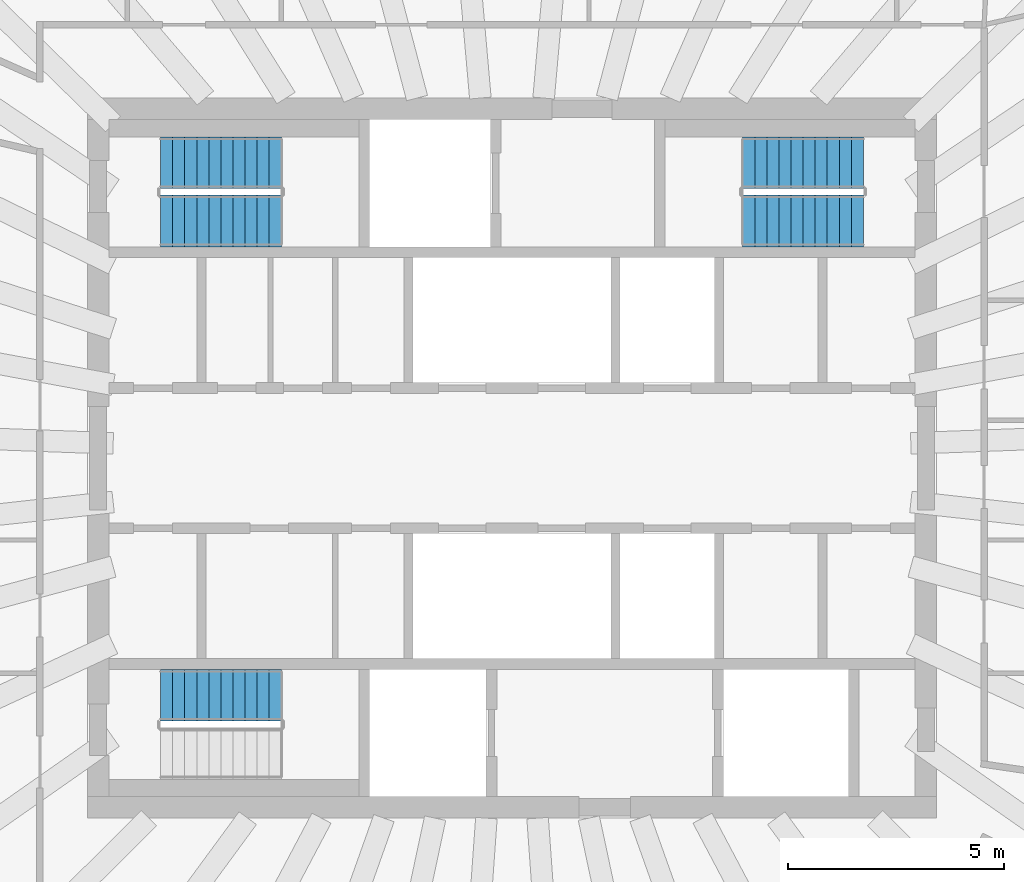
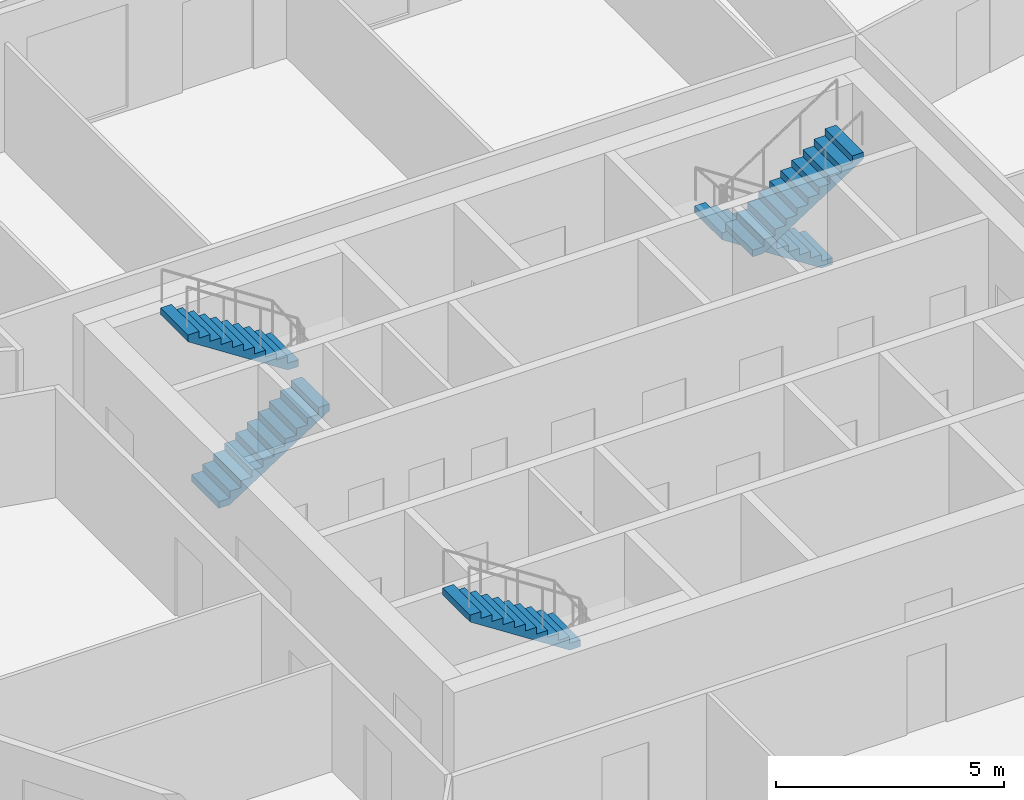
# One storey, part 8 of 12: 5 stair flights, 3 elements without a shape of their own.
"""IFC4 building model written with IfcOpenShell, lengths in metres."""

from ifc_helpers import new_model, si_unit, direction, frame, origin, place, context, subcontext, project, spatial, polyline, outline, extrude, material, layer, layer_set, type_object, element, aggregate, save


model = new_model("IFC4")

# Units and contexts
model_context = context("Model", 3, precision=1e-05, world=origin(), true_north=direction((0.0, 1.0)))
body_context = subcontext(model_context, "Body", "Model", "MODEL_VIEW")
ifc_project = project(units=[si_unit("LENGTHUNIT", "METRE"), si_unit("AREAUNIT", "SQUARE_METRE"), si_unit("VOLUMEUNIT", "CUBIC_METRE"), si_unit("PLANEANGLEUNIT", "RADIAN"), si_unit("MASSUNIT", "GRAM", prefix="KILO")], contexts=[model_context])

# Site, building, storey
site_placement = place(None, origin())
site = spatial("IfcSite", under=ifc_project, at=site_placement, CompositionType="ELEMENT")
building_placement = place(site_placement, origin())
building = spatial("IfcBuilding", under=site, at=building_placement, Name="Frailejon Research Tower", CompositionType="ELEMENT")
storey_placement = place(building_placement, frame((0.0, 0.0, 291.0)))
storey = spatial("IfcBuildingStorey", under=building, at=storey_placement, Name="L64", CompositionType="ELEMENT", Elevation=291.0)

# Stair, stair flights
ifc_material_1 = material(Name="Concrete C50/60", Category="concrete")
stair_type = type_object("IfcStairType", Name="Exit stair 22 risers", PredefinedType="HALF_TURN_STAIR", material=ifc_material_1)
stair_1_placement = place(storey_placement, origin())
stair_1 = element("IfcStair", 1, at=stair_1_placement, inside=storey, type_object=stair_type, Name="L64 Exit stair ST1", PredefinedType="HALF_TURN_STAIR")
ifc_material_2 = material(Name="Concrete C50/60", Category="concrete")
ifc_layer = layer(ifc_material_2, 0.14990234375)
ifc_layer_set = layer_set([ifc_layer], Name="Stair flight 11 risers")
stair_flight_type = type_object("IfcStairFlightType", Name="Stair flight 11 risers", PredefinedType="STRAIGHT", material=ifc_layer_set)
stair_flight_1_placement = place(storey_placement, frame((-8.14990234375, 5.5, 0.0), z_axis=(0.0, 0.0, 1.0), x_axis=(1.0, 0.0, 0.0)))
stair_flight_1 = element("IfcStairFlight", 2, at=stair_flight_1_placement, type_object=stair_flight_type, Name="ST1 flight 1", NumberOfRisers=11, NumberOfTreads=10, PredefinedType="STRAIGHT", RiserHeight=0.181818182, TreadLength=0.28, context=body_context, shape_type="SweptSolid", body=[
    extrude(outline(polyline([(0.0, 0.0), (0.0, 0.181884765625), (0.280029296875, 0.181884765625), (0.280029296875, 0.363525390625), (0.56005859375, 0.363525390625), (0.56005859375, 0.54541015625), (0.840087890625, 0.54541015625), (0.840087890625, 0.727294921875), (1.1201171875, 0.727294921875), (1.1201171875, 0.9091796875), (1.39990234375, 0.9091796875), (1.39990234375, 1.0908203125), (1.679931640625, 1.0908203125), (1.679931640625, 1.272705078125), (1.9599609375, 1.272705078125), (1.9599609375, 1.45458984375), (2.239990234375, 1.45458984375), (2.239990234375, 1.636474609375), (2.52001953125, 1.636474609375), (2.52001953125, 1.818115234375), (2.800048828125, 1.818115234375), (2.800048828125, 2.0), (2.800048828125, 1.639404296875), (0.275146484375, 0.0), (0.0, 0.0)])), frame((0.0, 0.60009765625, 0.0), z_axis=(0.0, -1.0, 0.0), x_axis=(1.0, 0.0, 0.0)), (0.0, 0.0, 1.0), 1.199951171875),
])
stair_flight_2_placement = place(storey_placement, frame((-5.35009765625, 6.85009765625, 2.0), z_axis=(0.0, 0.0, 1.0), x_axis=(-1.0, 0.0, 0.0)))
stair_flight_2 = element("IfcStairFlight", 3, at=stair_flight_2_placement, type_object=stair_flight_type, Name="ST1 flight 2", NumberOfRisers=11, NumberOfTreads=10, PredefinedType="STRAIGHT", RiserHeight=0.181818182, TreadLength=0.28, context=body_context, shape_type="SweptSolid", body=[
    extrude(outline(polyline([(0.0, 0.0), (0.0, 0.181884765625), (0.280029296875, 0.181884765625), (0.280029296875, 0.363525390625), (0.56005859375, 0.363525390625), (0.56005859375, 0.54541015625), (0.840087890625, 0.54541015625), (0.840087890625, 0.727294921875), (1.1201171875, 0.727294921875), (1.1201171875, 0.9091796875), (1.39990234375, 0.9091796875), (1.39990234375, 1.0908203125), (1.679931640625, 1.0908203125), (1.679931640625, 1.272705078125), (1.9599609375, 1.272705078125), (1.9599609375, 1.45458984375), (2.239990234375, 1.45458984375), (2.239990234375, 1.636474609375), (2.52001953125, 1.636474609375), (2.52001953125, 1.818115234375), (2.800048828125, 1.818115234375), (2.800048828125, 2.0), (2.800048828125, 1.639404296875), (0.275146484375, 0.0), (0.0, 0.0)])), frame((0.0, 0.60009765625, 0.0), z_axis=(0.0, -1.0, 0.0), x_axis=(1.0, 0.0, 0.0)), (0.0, 0.0, 1.0), 1.199951171875),
])
aggregate(stair_1, [stair_flight_1, stair_flight_2])

# Stair, stair flight
stair_2_placement = place(storey_placement, origin())
stair_2 = element("IfcStair", 4, at=stair_2_placement, inside=storey, type_object=stair_type, Name="L64 Exit stair ST2", PredefinedType="HALF_TURN_STAIR")
stair_flight_3_placement = place(storey_placement, frame((-5.35009765625, -5.5, 2.0), z_axis=(0.0, 0.0, 1.0), x_axis=(-1.0, 0.0, 0.0)))
stair_flight_3 = element("IfcStairFlight", 5, at=stair_flight_3_placement, type_object=stair_flight_type, Name="ST2 flight 2", NumberOfRisers=11, NumberOfTreads=10, PredefinedType="STRAIGHT", RiserHeight=0.181818182, TreadLength=0.28, context=body_context, shape_type="SweptSolid", body=[
    extrude(outline(polyline([(0.0, 0.0), (0.0, 0.181884765625), (0.280029296875, 0.181884765625), (0.280029296875, 0.363525390625), (0.56005859375, 0.363525390625), (0.56005859375, 0.54541015625), (0.840087890625, 0.54541015625), (0.840087890625, 0.727294921875), (1.1201171875, 0.727294921875), (1.1201171875, 0.9091796875), (1.39990234375, 0.9091796875), (1.39990234375, 1.0908203125), (1.679931640625, 1.0908203125), (1.679931640625, 1.272705078125), (1.9599609375, 1.272705078125), (1.9599609375, 1.45458984375), (2.239990234375, 1.45458984375), (2.239990234375, 1.636474609375), (2.52001953125, 1.636474609375), (2.52001953125, 1.818115234375), (2.800048828125, 1.818115234375), (2.800048828125, 2.0), (2.800048828125, 1.639404296875), (0.275146484375, 0.0), (0.0, 0.0)])), frame((0.0, 0.60009765625, 0.0), z_axis=(0.0, -1.0, 0.0), x_axis=(1.0, 0.0, 0.0)), (0.0, 0.0, 1.0), 1.199951171875),
])
aggregate(stair_2, [stair_flight_3])

# Stair, stair flights
stair_3_placement = place(storey_placement, origin())
stair_3 = element("IfcStair", 6, at=stair_3_placement, inside=storey, type_object=stair_type, Name="L64 Exit stair ST3", PredefinedType="HALF_TURN_STAIR")
stair_flight_4_placement = place(storey_placement, frame((8.14990234375, 6.85009765625, 0.0), z_axis=(0.0, 0.0, 1.0), x_axis=(-1.0, 0.0, 0.0)))
stair_flight_4 = element("IfcStairFlight", 7, at=stair_flight_4_placement, type_object=stair_flight_type, Name="ST3 flight 1", NumberOfRisers=11, NumberOfTreads=10, PredefinedType="STRAIGHT", RiserHeight=0.181818182, TreadLength=0.28, context=body_context, shape_type="SweptSolid", body=[
    extrude(outline(polyline([(0.0, 0.0), (0.0, 0.181884765625), (0.280029296875, 0.181884765625), (0.280029296875, 0.363525390625), (0.56005859375, 0.363525390625), (0.56005859375, 0.54541015625), (0.840087890625, 0.54541015625), (0.840087890625, 0.727294921875), (1.1201171875, 0.727294921875), (1.1201171875, 0.9091796875), (1.39990234375, 0.9091796875), (1.39990234375, 1.0908203125), (1.679931640625, 1.0908203125), (1.679931640625, 1.272705078125), (1.9599609375, 1.272705078125), (1.9599609375, 1.45458984375), (2.239990234375, 1.45458984375), (2.239990234375, 1.636474609375), (2.52001953125, 1.636474609375), (2.52001953125, 1.818115234375), (2.800048828125, 1.818115234375), (2.800048828125, 2.0), (2.800048828125, 1.639404296875), (0.275146484375, 0.0), (0.0, 0.0)])), frame((0.0, 0.60009765625, 0.0), z_axis=(0.0, -1.0, 0.0), x_axis=(1.0, 0.0, 0.0)), (0.0, 0.0, 1.0), 1.199951171875),
])
stair_flight_5_placement = place(storey_placement, frame((5.35009765625, 5.5, 2.0), z_axis=(0.0, 0.0, 1.0), x_axis=(1.0, 0.0, 0.0)))
stair_flight_5 = element("IfcStairFlight", 8, at=stair_flight_5_placement, type_object=stair_flight_type, Name="ST3 flight 2", NumberOfRisers=11, NumberOfTreads=10, PredefinedType="STRAIGHT", RiserHeight=0.181818182, TreadLength=0.28, context=body_context, shape_type="SweptSolid", body=[
    extrude(outline(polyline([(0.0, 0.0), (0.0, 0.181884765625), (0.280029296875, 0.181884765625), (0.280029296875, 0.363525390625), (0.56005859375, 0.363525390625), (0.56005859375, 0.54541015625), (0.840087890625, 0.54541015625), (0.840087890625, 0.727294921875), (1.1201171875, 0.727294921875), (1.1201171875, 0.9091796875), (1.39990234375, 0.9091796875), (1.39990234375, 1.0908203125), (1.679931640625, 1.0908203125), (1.679931640625, 1.272705078125), (1.9599609375, 1.272705078125), (1.9599609375, 1.45458984375), (2.239990234375, 1.45458984375), (2.239990234375, 1.636474609375), (2.52001953125, 1.636474609375), (2.52001953125, 1.818115234375), (2.800048828125, 1.818115234375), (2.800048828125, 2.0), (2.800048828125, 1.639404296875), (0.275146484375, 0.0), (0.0, 0.0)])), frame((0.0, 0.60009765625, 0.0), z_axis=(0.0, -1.0, 0.0), x_axis=(1.0, 0.0, 0.0)), (0.0, 0.0, 1.0), 1.199951171875),
])
aggregate(stair_3, [stair_flight_4, stair_flight_5])

save(model, "model.ifc")
